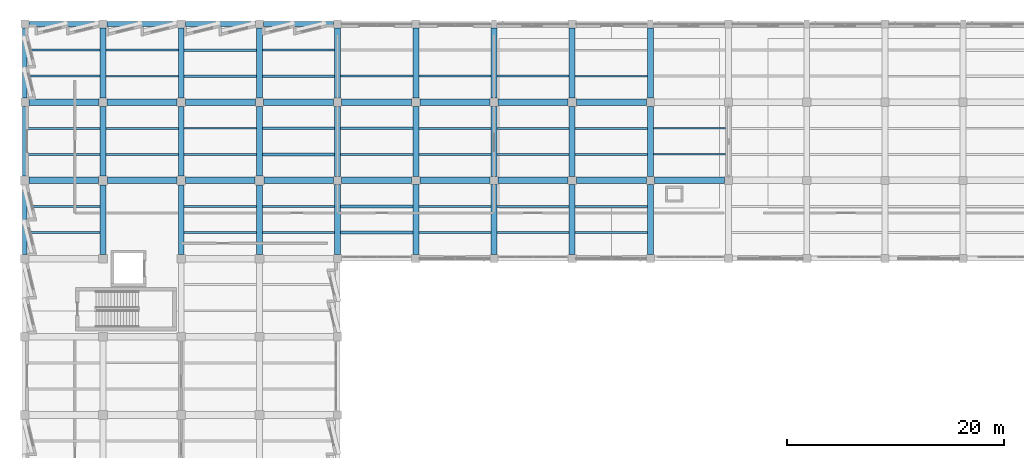
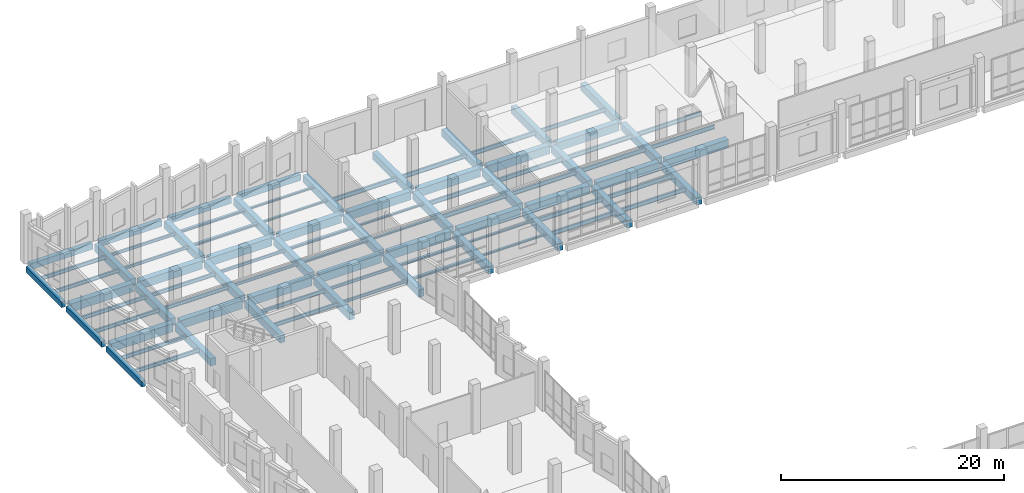
# One storey, part 53 of 137: 92 beams.
"""IFC4 building model written with IfcOpenShell, lengths in metres."""

from ifc_helpers import new_model, si_unit, direction, frame, origin, origin_2d, place, context, subcontext, project, spatial, rectangle, i_section, extrude, material, material_profile, profile_set, type_object, element, save


model = new_model("IFC4")

# Units and contexts
model_context = context("Model", 3, precision=1e-05, world=origin(), true_north=direction((0.0, 1.0)))
body_context = subcontext(model_context, "Body", "Model", "MODEL_VIEW")
ifc_project = project(units=[si_unit("LENGTHUNIT", "METRE"), si_unit("AREAUNIT", "SQUARE_METRE"), si_unit("VOLUMEUNIT", "CUBIC_METRE"), si_unit("PLANEANGLEUNIT", "RADIAN"), si_unit("MASSUNIT", "GRAM", prefix="KILO")], contexts=[model_context])

# Site, building, storey
site_placement = place(None, origin())
site = spatial("IfcSite", under=ifc_project, at=site_placement, CompositionType="ELEMENT")
building_placement = place(site_placement, origin())
building = spatial("IfcBuilding", under=site, at=building_placement, Name="Kalmorath City Hall", CompositionType="ELEMENT")
storey_placement = place(building_placement, origin())
storey = spatial("IfcBuildingStorey", under=building, at=storey_placement, Name="L00", CompositionType="ELEMENT", Elevation=0.0)

# Beams
ifc_material_1 = material(Name="Concrete C40/50", Category="concrete")
ifc_material_profile_1 = material_profile(ifc_material_1, rectangle(XDim=0.39990234375, YDim=0.60009765625, at=origin_2d()), Name="RC-BM-400X600")
ifc_profile_set_1 = profile_set([ifc_material_profile_1], Name="Concrete C40/50")
beam_type_1 = type_object("IfcBeamType", Name="Concrete edge beam 400x600", PredefinedType="SPANDREL", material=ifc_profile_set_1)
beam_1_placement = place(storey_placement, frame((0.0, 94.0, -0.60400390625), z_axis=(0.0, 1.0, 0.0), x_axis=(-1.0, 0.0, 0.0)))
element("IfcBeam", 1, at=beam_1_placement, inside=storey, type_object=beam_type_1, Name="L00 girder CB6 Y1/14-15", PredefinedType="SPANDREL", context=body_context, shape_type="SweptSolid", body=[
    extrude(rectangle(XDim=0.39990234375, YDim=0.60009765625, at=origin_2d()), origin(), (0.0, 0.0, 1.0), 6.39990234375),
])
beam_2_placement = place(storey_placement, frame((0.0, 101.199951171875, -0.60400390625), z_axis=(0.0, 1.0, 0.0), x_axis=(-1.0, 0.0, 0.0)))
element("IfcBeam", 2, at=beam_2_placement, inside=storey, type_object=beam_type_1, Name="L00 girder CB6 Y1/15-16", PredefinedType="SPANDREL", context=body_context, shape_type="SweptSolid", body=[
    extrude(rectangle(XDim=0.39990234375, YDim=0.60009765625, at=origin_2d()), origin(), (0.0, 0.0, 1.0), 6.425048828125),
])
beam_3_placement = place(storey_placement, frame((0.0, 108.375, -0.60400390625), z_axis=(0.0, 1.0, 0.0), x_axis=(-1.0, 0.0, 0.0)))
element("IfcBeam", 3, at=beam_3_placement, inside=storey, type_object=beam_type_1, Name="L00 girder CB6 Y1/16-17", PredefinedType="SPANDREL", context=body_context, shape_type="SweptSolid", body=[
    extrude(rectangle(XDim=0.39990234375, YDim=0.60009765625, at=origin_2d()), origin(), (0.0, 0.0, 1.0), 6.449951171875),
])
ifc_material_2 = material(Name="Concrete C40/50", Category="concrete")
ifc_material_profile_2 = material_profile(ifc_material_2, rectangle(XDim=0.550048828125, YDim=0.800048828125, at=origin_2d()), Name="RC-BM-550X800")
ifc_profile_set_2 = profile_set([ifc_material_profile_2], Name="Concrete C40/50")
beam_type_2 = type_object("IfcBeamType", Name="Concrete floor girder 550x800", PredefinedType="BEAM", material=ifc_profile_set_2)
beam_4_placement = place(storey_placement, frame((7.199951171875, 94.0, -0.7041015625), z_axis=(0.0, 1.0, 0.0), x_axis=(-1.0, 0.0, 0.0)))
element("IfcBeam", 4, at=beam_4_placement, inside=storey, type_object=beam_type_2, Name="L00 girder CB2 Y2/14-15", PredefinedType="BEAM", context=body_context, shape_type="SweptSolid", body=[
    extrude(rectangle(XDim=0.550048828125, YDim=0.800048828125, at=origin_2d()), origin(), (0.0, 0.0, 1.0), 6.39990234375),
])
beam_5_placement = place(storey_placement, frame((7.199951171875, 101.199951171875, -0.7041015625), z_axis=(0.0, 1.0, 0.0), x_axis=(-1.0, 0.0, 0.0)))
element("IfcBeam", 5, at=beam_5_placement, inside=storey, type_object=beam_type_2, Name="L00 girder CB2 Y2/15-16", PredefinedType="BEAM", context=body_context, shape_type="SweptSolid", body=[
    extrude(rectangle(XDim=0.550048828125, YDim=0.800048828125, at=origin_2d()), origin(), (0.0, 0.0, 1.0), 6.425048828125),
])
beam_6_placement = place(storey_placement, frame((7.199951171875, 108.375, -0.7041015625), z_axis=(0.0, 1.0, 0.0), x_axis=(-1.0, 0.0, 0.0)))
element("IfcBeam", 6, at=beam_6_placement, inside=storey, type_object=beam_type_2, Name="L00 girder CB2 Y2/16-17", PredefinedType="BEAM", context=body_context, shape_type="SweptSolid", body=[
    extrude(rectangle(XDim=0.550048828125, YDim=0.800048828125, at=origin_2d()), origin(), (0.0, 0.0, 1.0), 6.449951171875),
])
beam_7_placement = place(storey_placement, frame((14.39990234375, 94.0, -0.7041015625), z_axis=(0.0, 1.0, 0.0), x_axis=(-1.0, 0.0, 0.0)))
element("IfcBeam", 7, at=beam_7_placement, inside=storey, type_object=beam_type_2, Name="L00 girder CB2 Y3/14-15", PredefinedType="BEAM", context=body_context, shape_type="SweptSolid", body=[
    extrude(rectangle(XDim=0.550048828125, YDim=0.800048828125, at=origin_2d()), origin(), (0.0, 0.0, 1.0), 6.39990234375),
])
beam_8_placement = place(storey_placement, frame((14.39990234375, 101.199951171875, -0.7041015625), z_axis=(0.0, 1.0, 0.0), x_axis=(-1.0, 0.0, 0.0)))
element("IfcBeam", 8, at=beam_8_placement, inside=storey, type_object=beam_type_2, Name="L00 girder CB2 Y3/15-16", PredefinedType="BEAM", context=body_context, shape_type="SweptSolid", body=[
    extrude(rectangle(XDim=0.550048828125, YDim=0.800048828125, at=origin_2d()), origin(), (0.0, 0.0, 1.0), 6.425048828125),
])
beam_9_placement = place(storey_placement, frame((14.39990234375, 108.375, -0.7041015625), z_axis=(0.0, 1.0, 0.0), x_axis=(-1.0, 0.0, 0.0)))
element("IfcBeam", 9, at=beam_9_placement, inside=storey, type_object=beam_type_2, Name="L00 girder CB2 Y3/16-17", PredefinedType="BEAM", context=body_context, shape_type="SweptSolid", body=[
    extrude(rectangle(XDim=0.550048828125, YDim=0.800048828125, at=origin_2d()), origin(), (0.0, 0.0, 1.0), 6.449951171875),
])
beam_10_placement = place(storey_placement, frame((21.60009765625, 94.0, -0.7041015625), z_axis=(0.0, 1.0, 0.0), x_axis=(-1.0, 0.0, 0.0)))
element("IfcBeam", 10, at=beam_10_placement, inside=storey, type_object=beam_type_2, Name="L00 girder CB2 Y4/14-15", PredefinedType="BEAM", context=body_context, shape_type="SweptSolid", body=[
    extrude(rectangle(XDim=0.550048828125, YDim=0.800048828125, at=origin_2d()), origin(), (0.0, 0.0, 1.0), 6.39990234375),
])
beam_11_placement = place(storey_placement, frame((21.60009765625, 101.199951171875, -0.7041015625), z_axis=(0.0, 1.0, 0.0), x_axis=(-1.0, 0.0, 0.0)))
element("IfcBeam", 11, at=beam_11_placement, inside=storey, type_object=beam_type_2, Name="L00 girder CB2 Y4/15-16", PredefinedType="BEAM", context=body_context, shape_type="SweptSolid", body=[
    extrude(rectangle(XDim=0.550048828125, YDim=0.800048828125, at=origin_2d()), origin(), (0.0, 0.0, 1.0), 6.425048828125),
])
for number, where, z_axis, x_axis, name in (
    (12, (21.60009765625, 108.375, -0.7041015625), (0.0, 1.0, 0.0), (-1.0, 0.0, 0.0), "L00 girder CB2 Y4/16-17"),
    (13, (28.800048828125, 93.97509765625, -0.7041015625), (0.0, 1.0, 0.0), (-1.0, 0.0, 0.0), "L00 girder CB2 Y5/14-15"),
    (14, (28.800048828125, 101.175048828125, -0.7041015625), (0.0, 1.0, 0.0), (-1.0, 0.0, 0.0), "L00 girder CB2 Y5/15-16"),
    (15, (28.800048828125, 108.375, -0.7041015625), (0.0, 1.0, 0.0), (-1.0, 0.0, 0.0), "L00 girder CB2 Y5/16-17"),
    (16, (36.0, 93.97509765625, -0.7041015625), (0.0, 1.0, 0.0), (-1.0, 0.0, 0.0), "L00 girder CB2 Y6/14-15"),
    (17, (36.0, 101.175048828125, -0.7041015625), (0.0, 1.0, 0.0), (-1.0, 0.0, 0.0), "L00 girder CB2 Y6/15-16"),
    (18, (36.0, 108.375, -0.7041015625), (0.0, 1.0, 0.0), (-1.0, 0.0, 0.0), "L00 girder CB2 Y6/16-17"),
    (19, (43.199951171875, 93.97509765625, -0.7041015625), (0.0, 1.0, 0.0), (-1.0, 0.0, 0.0), "L00 girder CB2 Y7/14-15"),
    (20, (43.199951171875, 101.175048828125, -0.7041015625), (0.0, 1.0, 0.0), (-1.0, 0.0, 0.0), "L00 girder CB2 Y7/15-16"),
    (21, (43.199951171875, 108.375, -0.7041015625), (0.0, 1.0, 0.0), (-1.0, 0.0, 0.0), "L00 girder CB2 Y7/16-17"),
    (22, (50.39990234375, 93.97509765625, -0.7041015625), (0.0, 1.0, 0.0), (-1.0, 0.0, 0.0), "L00 girder CB2 Y8/14-15"),
    (23, (50.39990234375, 101.175048828125, -0.7041015625), (0.0, 1.0, 0.0), (-1.0, 0.0, 0.0), "L00 girder CB2 Y8/15-16"),
    (24, (50.39990234375, 108.375, -0.7041015625), (0.0, 1.0, 0.0), (-1.0, 0.0, 0.0), "L00 girder CB2 Y8/16-17"),
    (25, (57.60009765625, 93.97509765625, -0.7041015625), (0.0, 1.0, 0.0), (-1.0, 0.0, 0.0), "L00 girder CB2 Y9/14-15"),
    (26, (57.60009765625, 101.175048828125, -0.7041015625), (0.0, 1.0, 0.0), (-1.0, 0.0, 0.0), "L00 girder CB2 Y9/15-16"),
    (27, (57.60009765625, 108.375, -0.7041015625), (0.0, 1.0, 0.0), (-1.0, 0.0, 0.0), "L00 girder CB2 Y9/16-17"),
):
    element("IfcBeam", number, at=place(storey_placement, frame(where, z_axis=z_axis, x_axis=x_axis)), inside=storey, type_object=beam_type_2, Name=name, PredefinedType="BEAM", context=body_context, shape_type="SweptSolid", body=[
        extrude(rectangle(XDim=0.550048828125, YDim=0.800048828125, at=origin_2d()), origin(), (0.0, 0.0, 1.0), 6.449951171875),
    ])
ifc_material_3 = material(Name="Concrete C40/50", Category="concrete")
ifc_material_profile_3 = material_profile(ifc_material_3, rectangle(XDim=0.60009765625, YDim=0.89990234375, at=origin_2d()), Name="RC-BM-600X900")
ifc_profile_set_3 = profile_set([ifc_material_profile_3], Name="Concrete C40/50")
beam_type_3 = type_object("IfcBeamType", Name="Concrete floor girder 600x900", PredefinedType="BEAM", material=ifc_profile_set_3)
beam_12_placement = place(storey_placement, frame((0.39990234375, 100.800048828125, -0.75390625), z_axis=(1.0, 0.0, 0.0), x_axis=(0.0, 1.0, 0.0)))
element("IfcBeam", 28, at=beam_12_placement, inside=storey, type_object=beam_type_3, Name="L00 girder CB1 X1-2/15", PredefinedType="BEAM", context=body_context, shape_type="SweptSolid", body=[
    extrude(rectangle(XDim=0.60009765625, YDim=0.89990234375, at=origin_2d()), origin(), (0.0, 0.0, 1.0), 6.400146484375),
])
for number, where, z_axis, x_axis, name in (
    (29, (7.60009765625, 100.800048828125, -0.75390625), (1.0, 0.0, 0.0), (0.0, 1.0, 0.0), "L00 girder CB1 X2-3/15"),
    (30, (14.800048828125, 100.800048828125, -0.75390625), (1.0, 0.0, 0.0), (0.0, 1.0, 0.0), "L00 girder CB1 X3-4/15"),
):
    element("IfcBeam", number, at=place(storey_placement, frame(where, z_axis=z_axis, x_axis=x_axis)), inside=storey, type_object=beam_type_3, Name=name, PredefinedType="BEAM", context=body_context, shape_type="SweptSolid", body=[
        extrude(rectangle(XDim=0.60009765625, YDim=0.89990234375, at=origin_2d()), origin(), (0.0, 0.0, 1.0), 6.39990234375),
    ])
beam_13_placement = place(storey_placement, frame((22.0, 100.800048828125, -0.75390625), z_axis=(1.0, 0.0, 0.0), x_axis=(0.0, 1.0, 0.0)))
element("IfcBeam", 31, at=beam_13_placement, inside=storey, type_object=beam_type_3, Name="L00 girder CB1 X4-5/15", PredefinedType="BEAM", context=body_context, shape_type="SweptSolid", body=[
    extrude(rectangle(XDim=0.60009765625, YDim=0.89990234375, at=origin_2d()), origin(), (0.0, 0.0, 1.0), 6.425048828125),
])
for number, where, z_axis, x_axis, name in (
    (32, (29.175048828125, 100.800048828125, -0.75390625), (1.0, 0.0, 0.0), (0.0, 1.0, 0.0), "L00 girder CB1 X5-6/15"),
    (33, (36.375, 100.800048828125, -0.75390625), (1.0, 0.0, 0.0), (0.0, 1.0, 0.0), "L00 girder CB1 X6-7/15"),
    (34, (43.574951171875, 100.800048828125, -0.75390625), (1.0, 0.0, 0.0), (0.0, 1.0, 0.0), "L00 girder CB1 X7-8/15"),
):
    element("IfcBeam", number, at=place(storey_placement, frame(where, z_axis=z_axis, x_axis=x_axis)), inside=storey, type_object=beam_type_3, Name=name, PredefinedType="BEAM", context=body_context, shape_type="SweptSolid", body=[
        extrude(rectangle(XDim=0.60009765625, YDim=0.89990234375, at=origin_2d()), origin(), (0.0, 0.0, 1.0), 6.449951171875),
    ])
beam_14_placement = place(storey_placement, frame((50.77490234375, 100.800048828125, -0.75390625), z_axis=(1.0, 0.0, 0.0), x_axis=(0.0, 1.0, 0.0)))
element("IfcBeam", 35, at=beam_14_placement, inside=storey, type_object=beam_type_3, Name="L00 girder CB1 X8-9/15", PredefinedType="BEAM", context=body_context, shape_type="SweptSolid", body=[
    extrude(rectangle(XDim=0.60009765625, YDim=0.89990234375, at=origin_2d()), origin(), (0.0, 0.0, 1.0), 6.4501953125),
])
for number, where, z_axis, x_axis, name in (
    (36, (57.97509765625, 100.800048828125, -0.75390625), (1.0, 0.0, 0.0), (0.0, 1.0, 0.0), "L00 girder CB1 X9-10/15"),
    (37, (0.375, 108.0, -0.75390625), (1.0, 0.0, 0.0), (0.0, 1.0, 0.0), "L00 girder CB1 X1-2/16"),
    (38, (7.574951171875, 108.0, -0.75390625), (1.0, 0.0, 0.0), (0.0, 1.0, 0.0), "L00 girder CB1 X2-3/16"),
):
    element("IfcBeam", number, at=place(storey_placement, frame(where, z_axis=z_axis, x_axis=x_axis)), inside=storey, type_object=beam_type_3, Name=name, PredefinedType="BEAM", context=body_context, shape_type="SweptSolid", body=[
        extrude(rectangle(XDim=0.60009765625, YDim=0.89990234375, at=origin_2d()), origin(), (0.0, 0.0, 1.0), 6.449951171875),
    ])
beam_15_placement = place(storey_placement, frame((14.77490234375, 108.0, -0.75390625), z_axis=(1.0, 0.0, 0.0), x_axis=(0.0, 1.0, 0.0)))
element("IfcBeam", 39, at=beam_15_placement, inside=storey, type_object=beam_type_3, Name="L00 girder CB1 X3-4/16", PredefinedType="BEAM", context=body_context, shape_type="SweptSolid", body=[
    extrude(rectangle(XDim=0.60009765625, YDim=0.89990234375, at=origin_2d()), origin(), (0.0, 0.0, 1.0), 6.4501953125),
])
for number, where, z_axis, x_axis, name in (
    (40, (21.97509765625, 108.0, -0.75390625), (1.0, 0.0, 0.0), (0.0, 1.0, 0.0), "L00 girder CB1 X4-5/16"),
    (41, (29.175048828125, 108.0, -0.75390625), (1.0, 0.0, 0.0), (0.0, 1.0, 0.0), "L00 girder CB1 X5-6/16"),
    (42, (36.375, 108.0, -0.75390625), (1.0, 0.0, 0.0), (0.0, 1.0, 0.0), "L00 girder CB1 X6-7/16"),
    (43, (43.574951171875, 108.0, -0.75390625), (1.0, 0.0, 0.0), (0.0, 1.0, 0.0), "L00 girder CB1 X7-8/16"),
):
    element("IfcBeam", number, at=place(storey_placement, frame(where, z_axis=z_axis, x_axis=x_axis)), inside=storey, type_object=beam_type_3, Name=name, PredefinedType="BEAM", context=body_context, shape_type="SweptSolid", body=[
        extrude(rectangle(XDim=0.60009765625, YDim=0.89990234375, at=origin_2d()), origin(), (0.0, 0.0, 1.0), 6.449951171875),
    ])
beam_16_placement = place(storey_placement, frame((50.77490234375, 108.0, -0.75390625), z_axis=(1.0, 0.0, 0.0), x_axis=(0.0, 1.0, 0.0)))
element("IfcBeam", 44, at=beam_16_placement, inside=storey, type_object=beam_type_3, Name="L00 girder CB1 X8-9/16", PredefinedType="BEAM", context=body_context, shape_type="SweptSolid", body=[
    extrude(rectangle(XDim=0.60009765625, YDim=0.89990234375, at=origin_2d()), origin(), (0.0, 0.0, 1.0), 6.4501953125),
])
ifc_material_4 = material(Name="Concrete C40/50", Category="concrete")
ifc_material_profile_4 = material_profile(ifc_material_4, rectangle(XDim=0.449951171875, YDim=0.64990234375, at=origin_2d()), Name="RC-BM-450X650")
ifc_profile_set_4 = profile_set([ifc_material_profile_4], Name="Concrete C40/50")
beam_type_4 = type_object("IfcBeamType", Name="Concrete spandrel beam 450x650", PredefinedType="SPANDREL", material=ifc_profile_set_4)
for number, where, z_axis, x_axis, name in (
    (45, (0.375, 115.199951171875, -0.62890625), (1.0, 0.0, 0.0), (0.0, 1.0, 0.0), "L00 girder CB5 X1-2/17"),
    (46, (7.574951171875, 115.199951171875, -0.62890625), (1.0, 0.0, 0.0), (0.0, 1.0, 0.0), "L00 girder CB5 X2-3/17"),
):
    element("IfcBeam", number, at=place(storey_placement, frame(where, z_axis=z_axis, x_axis=x_axis)), inside=storey, type_object=beam_type_4, Name=name, PredefinedType="SPANDREL", context=body_context, shape_type="SweptSolid", body=[
        extrude(rectangle(XDim=0.449951171875, YDim=0.64990234375, at=origin_2d()), origin(), (0.0, 0.0, 1.0), 6.449951171875),
    ])
beam_17_placement = place(storey_placement, frame((14.77490234375, 115.199951171875, -0.62890625), z_axis=(1.0, 0.0, 0.0), x_axis=(0.0, 1.0, 0.0)))
element("IfcBeam", 47, at=beam_17_placement, inside=storey, type_object=beam_type_4, Name="L00 girder CB5 X3-4/17", PredefinedType="SPANDREL", context=body_context, shape_type="SweptSolid", body=[
    extrude(rectangle(XDim=0.449951171875, YDim=0.64990234375, at=origin_2d()), origin(), (0.0, 0.0, 1.0), 6.4501953125),
])
beam_18_placement = place(storey_placement, frame((21.97509765625, 115.199951171875, -0.62890625), z_axis=(1.0, 0.0, 0.0), x_axis=(0.0, 1.0, 0.0)))
element("IfcBeam", 48, at=beam_18_placement, inside=storey, type_object=beam_type_4, Name="L00 girder CB5 X4-5/17", PredefinedType="SPANDREL", context=body_context, shape_type="SweptSolid", body=[
    extrude(rectangle(XDim=0.449951171875, YDim=0.64990234375, at=origin_2d()), origin(), (0.0, 0.0, 1.0), 6.449951171875),
])
ifc_material_5 = material(Name="Steel ASTM A992 Grade 50", Category="steel")
ifc_material_profile_5 = material_profile(ifc_material_5, i_section(OverallWidth=0.177001953125, OverallDepth=0.403076171875, WebThickness=0.007568359375, FlangeThickness=0.010986328125, FilletRadius=0.012939453125, at=origin_2d()), Name="W16X36")
ifc_profile_set_5 = profile_set([ifc_material_profile_5], Name="Steel ASTM A992 Grade 50")
beam_type_5 = type_object("IfcBeamType", Name="Steel composite joist W16X36", PredefinedType="JOIST", material=ifc_profile_set_5)
for number, where, z_axis, x_axis, name in (
    (49, (0.199951171875, 110.39990234375, -0.505615234375), (1.0, 0.0, 0.0), (0.0, 1.0, 0.0), "L00 joist SJ7 1.16.1"),
    (50, (0.199951171875, 112.800048828125, -0.505615234375), (1.0, 0.0, 0.0), (0.0, 1.0, 0.0), "L00 joist SJ7 1.16.2"),
):
    element("IfcBeam", number, at=place(storey_placement, frame(where, z_axis=z_axis, x_axis=x_axis)), inside=storey, type_object=beam_type_5, Name=name, PredefinedType="JOIST", context=body_context, shape_type="SweptSolid", body=[
        extrude(i_section(OverallWidth=0.177001953125, OverallDepth=0.403076171875, WebThickness=0.007568359375, FlangeThickness=0.010986328125, FilletRadius=0.012939453125, at=origin_2d()), origin(), (0.0, 0.0, 1.0), 6.72509765625),
    ])
for number, where, z_axis, x_axis, name in (
    (51, (7.47509765625, 103.199951171875, -0.505615234375), (1.0, 0.0, 0.0), (0.0, 1.0, 0.0), "L00 joist SJ7 2.15.1"),
    (52, (7.47509765625, 105.60009765625, -0.505615234375), (1.0, 0.0, 0.0), (0.0, 1.0, 0.0), "L00 joist SJ7 2.15.2"),
    (53, (14.675048828125, 96.0, -0.505615234375), (1.0, 0.0, 0.0), (0.0, 1.0, 0.0), "L00 joist SJ7 3.14.1"),
    (54, (14.675048828125, 98.39990234375, -0.505615234375), (1.0, 0.0, 0.0), (0.0, 1.0, 0.0), "L00 joist SJ7 3.14.2"),
):
    element("IfcBeam", number, at=place(storey_placement, frame(where, z_axis=z_axis, x_axis=x_axis)), inside=storey, type_object=beam_type_5, Name=name, PredefinedType="JOIST", context=body_context, shape_type="SweptSolid", body=[
        extrude(i_section(OverallWidth=0.177001953125, OverallDepth=0.403076171875, WebThickness=0.007568359375, FlangeThickness=0.010986328125, FilletRadius=0.012939453125, at=origin_2d()), origin(), (0.0, 0.0, 1.0), 6.64990234375),
    ])
ifc_material_6 = material(Name="Steel ASTM A992 Grade 50", Category="steel")
ifc_material_profile_6 = material_profile(ifc_material_6, i_section(OverallWidth=0.178955078125, OverallDepth=0.409912109375, WebThickness=0.0087890625, FlangeThickness=0.014404296875, FilletRadius=0.012939453125, at=origin_2d()), Name="W16X45")
ifc_profile_set_6 = profile_set([ifc_material_profile_6], Name="Steel ASTM A992 Grade 50")
beam_type_6 = type_object("IfcBeamType", Name="Steel composite joist W16X45", PredefinedType="JOIST", material=ifc_profile_set_6)
for number, where, z_axis, x_axis, name in (
    (55, (0.199951171875, 103.199951171875, -0.509033203125), (1.0, 0.0, 0.0), (0.0, 1.0, 0.0), "L00 joist SJ6 1.15.1"),
    (56, (0.199951171875, 105.60009765625, -0.509033203125), (1.0, 0.0, 0.0), (0.0, 1.0, 0.0), "L00 joist SJ6 1.15.2"),
):
    element("IfcBeam", number, at=place(storey_placement, frame(where, z_axis=z_axis, x_axis=x_axis)), inside=storey, type_object=beam_type_6, Name=name, PredefinedType="JOIST", context=body_context, shape_type="SweptSolid", body=[
        extrude(i_section(OverallWidth=0.178955078125, OverallDepth=0.409912109375, WebThickness=0.0087890625, FlangeThickness=0.014404296875, FilletRadius=0.012939453125, at=origin_2d()), origin(), (0.0, 0.0, 1.0), 6.72509765625),
    ])
ifc_material_7 = material(Name="Steel ASTM A992 Grade 50", Category="steel")
ifc_material_profile_7 = material_profile(ifc_material_7, i_section(OverallWidth=0.180908203125, OverallDepth=0.4169921875, WebThickness=0.010986328125, FlangeThickness=0.018310546875, FilletRadius=0.012939453125, at=origin_2d()), Name="W16X57")
ifc_profile_set_7 = profile_set([ifc_material_profile_7], Name="Steel ASTM A992 Grade 50")
beam_type_7 = type_object("IfcBeamType", Name="Steel composite joist W16X57", PredefinedType="JOIST", material=ifc_profile_set_7)
for number, where, z_axis, x_axis, name in (
    (57, (0.199951171875, 96.0, -0.512451171875), (1.0, 0.0, 0.0), (0.0, 1.0, 0.0), "L00 joist SJ5 1.14.1"),
    (58, (0.199951171875, 98.39990234375, -0.512451171875), (1.0, 0.0, 0.0), (0.0, 1.0, 0.0), "L00 joist SJ5 1.14.2"),
):
    element("IfcBeam", number, at=place(storey_placement, frame(where, z_axis=z_axis, x_axis=x_axis)), inside=storey, type_object=beam_type_7, Name=name, PredefinedType="JOIST", context=body_context, shape_type="SweptSolid", body=[
        extrude(i_section(OverallWidth=0.180908203125, OverallDepth=0.4169921875, WebThickness=0.010986328125, FlangeThickness=0.018310546875, FilletRadius=0.012939453125, at=origin_2d()), origin(), (0.0, 0.0, 1.0), 6.72509765625),
    ])
ifc_material_8 = material(Name="Steel ASTM A992 Grade 50", Category="steel")
ifc_material_profile_8 = material_profile(ifc_material_8, i_section(OverallWidth=0.153076171875, OverallDepth=0.455078125, WebThickness=0.008056640625, FlangeThickness=0.01318359375, FilletRadius=0.013916015625, at=origin_2d()), Name="W18X40")
ifc_profile_set_8 = profile_set([ifc_material_profile_8], Name="Steel ASTM A992 Grade 50")
beam_type_8 = type_object("IfcBeamType", Name="Steel composite joist W18X40", PredefinedType="JOIST", material=ifc_profile_set_8)
for number, where, z_axis, x_axis, name in (
    (59, (50.675048828125, 110.39990234375, -0.531494140625), (1.0, 0.0, 0.0), (0.0, 1.0, 0.0), "L00 joist SJ4 8.16.1"),
    (60, (57.875, 103.199951171875, -0.531494140625), (1.0, 0.0, 0.0), (0.0, 1.0, 0.0), "L00 joist SJ4 9.15.1"),
    (61, (57.875, 105.60009765625, -0.531494140625), (1.0, 0.0, 0.0), (0.0, 1.0, 0.0), "L00 joist SJ4 9.15.2"),
):
    element("IfcBeam", number, at=place(storey_placement, frame(where, z_axis=z_axis, x_axis=x_axis)), inside=storey, type_object=beam_type_8, Name=name, PredefinedType="JOIST", context=body_context, shape_type="SweptSolid", body=[
        extrude(i_section(OverallWidth=0.153076171875, OverallDepth=0.455078125, WebThickness=0.008056640625, FlangeThickness=0.01318359375, FilletRadius=0.013916015625, at=origin_2d()), origin(), (0.0, 0.0, 1.0), 6.64990234375),
    ])
ifc_material_9 = material(Name="Steel ASTM A992 Grade 50", Category="steel")
ifc_material_profile_9 = material_profile(ifc_material_9, i_section(OverallWidth=0.19091796875, OverallDepth=0.45703125, WebThickness=0.009033203125, FlangeThickness=0.014404296875, FilletRadius=0.013916015625, at=origin_2d()), Name="W18X50")
ifc_profile_set_9 = profile_set([ifc_material_profile_9], Name="Steel ASTM A992 Grade 50")
beam_type_9 = type_object("IfcBeamType", Name="Steel composite joist W18X50", PredefinedType="JOIST", material=ifc_profile_set_9)
for number, where, z_axis, x_axis, name in (
    (62, (43.47509765625, 110.39990234375, -0.532470703125), (1.0, 0.0, 0.0), (0.0, 1.0, 0.0), "L00 joist SJ3 7.16.1"),
    (63, (50.675048828125, 103.199951171875, -0.532470703125), (1.0, 0.0, 0.0), (0.0, 1.0, 0.0), "L00 joist SJ3 8.15.1"),
    (64, (50.675048828125, 105.60009765625, -0.532470703125), (1.0, 0.0, 0.0), (0.0, 1.0, 0.0), "L00 joist SJ3 8.15.2"),
):
    element("IfcBeam", number, at=place(storey_placement, frame(where, z_axis=z_axis, x_axis=x_axis)), inside=storey, type_object=beam_type_9, Name=name, PredefinedType="JOIST", context=body_context, shape_type="SweptSolid", body=[
        extrude(i_section(OverallWidth=0.19091796875, OverallDepth=0.45703125, WebThickness=0.009033203125, FlangeThickness=0.014404296875, FilletRadius=0.013916015625, at=origin_2d()), origin(), (0.0, 0.0, 1.0), 6.64990234375),
    ])
ifc_material_10 = material(Name="Steel ASTM A992 Grade 50", Category="steel")
ifc_material_profile_10 = material_profile(ifc_material_10, i_section(OverallWidth=0.19091796875, OverallDepth=0.4599609375, WebThickness=0.010009765625, FlangeThickness=0.01611328125, FilletRadius=0.013916015625, at=origin_2d()), Name="W18X55")
ifc_profile_set_10 = profile_set([ifc_material_profile_10], Name="Steel ASTM A992 Grade 50")
beam_type_10 = type_object("IfcBeamType", Name="Steel composite joist W18X55", PredefinedType="JOIST", material=ifc_profile_set_10)
beam_19_placement = place(storey_placement, frame((36.27490234375, 110.39990234375, -0.533935546875), z_axis=(1.0, 0.0, 0.0), x_axis=(0.0, 1.0, 0.0)))
element("IfcBeam", 65, at=beam_19_placement, inside=storey, type_object=beam_type_10, Name="L00 joist SJ2 6.16.1", PredefinedType="JOIST", context=body_context, shape_type="SweptSolid", body=[
    extrude(i_section(OverallWidth=0.19091796875, OverallDepth=0.4599609375, WebThickness=0.010009765625, FlangeThickness=0.01611328125, FilletRadius=0.013916015625, at=origin_2d()), origin(), (0.0, 0.0, 1.0), 6.650146484375),
])
for number, where, z_axis, x_axis, name in (
    (66, (43.47509765625, 103.199951171875, -0.533935546875), (1.0, 0.0, 0.0), (0.0, 1.0, 0.0), "L00 joist SJ2 7.15.1"),
    (67, (43.47509765625, 105.60009765625, -0.533935546875), (1.0, 0.0, 0.0), (0.0, 1.0, 0.0), "L00 joist SJ2 7.15.2"),
    (68, (50.675048828125, 96.0, -0.533935546875), (1.0, 0.0, 0.0), (0.0, 1.0, 0.0), "L00 joist SJ2 8.14.1"),
    (69, (50.675048828125, 98.39990234375, -0.533935546875), (1.0, 0.0, 0.0), (0.0, 1.0, 0.0), "L00 joist SJ2 8.14.2"),
):
    element("IfcBeam", number, at=place(storey_placement, frame(where, z_axis=z_axis, x_axis=x_axis)), inside=storey, type_object=beam_type_10, Name=name, PredefinedType="JOIST", context=body_context, shape_type="SweptSolid", body=[
        extrude(i_section(OverallWidth=0.19091796875, OverallDepth=0.4599609375, WebThickness=0.010009765625, FlangeThickness=0.01611328125, FilletRadius=0.013916015625, at=origin_2d()), origin(), (0.0, 0.0, 1.0), 6.64990234375),
    ])
ifc_material_11 = material(Name="Steel ASTM A992 Grade 50", Category="steel")
ifc_material_profile_11 = material_profile(ifc_material_11, i_section(OverallWidth=0.193115234375, OverallDepth=0.466064453125, WebThickness=0.011474609375, FlangeThickness=0.01904296875, FilletRadius=0.013916015625, at=origin_2d()), Name="W18X65")
ifc_profile_set_11 = profile_set([ifc_material_profile_11], Name="Steel ASTM A992 Grade 50")
beam_type_11 = type_object("IfcBeamType", Name="Steel composite joist W18X65", PredefinedType="JOIST", material=ifc_profile_set_11)
for number, where, z_axis, x_axis, name in (
    (70, (29.074951171875, 110.39990234375, -0.537109375), (1.0, 0.0, 0.0), (0.0, 1.0, 0.0), "L00 joist SJ1 5.16.1"),
    (71, (36.27490234375, 103.199951171875, -0.537109375), (1.0, 0.0, 0.0), (0.0, 1.0, 0.0), "L00 joist SJ1 6.15.1"),
    (72, (36.27490234375, 105.60009765625, -0.537109375), (1.0, 0.0, 0.0), (0.0, 1.0, 0.0), "L00 joist SJ1 6.15.2"),
):
    element("IfcBeam", number, at=place(storey_placement, frame(where, z_axis=z_axis, x_axis=x_axis)), inside=storey, type_object=beam_type_11, Name=name, PredefinedType="JOIST", context=body_context, shape_type="SweptSolid", body=[
        extrude(i_section(OverallWidth=0.193115234375, OverallDepth=0.466064453125, WebThickness=0.011474609375, FlangeThickness=0.01904296875, FilletRadius=0.013916015625, at=origin_2d()), origin(), (0.0, 0.0, 1.0), 6.650146484375),
    ])
for number, where, z_axis, x_axis, name in (
    (73, (43.47509765625, 96.0, -0.537109375), (1.0, 0.0, 0.0), (0.0, 1.0, 0.0), "L00 joist SJ1 7.14.1"),
    (74, (43.47509765625, 98.39990234375, -0.537109375), (1.0, 0.0, 0.0), (0.0, 1.0, 0.0), "L00 joist SJ1 7.14.2"),
):
    element("IfcBeam", number, at=place(storey_placement, frame(where, z_axis=z_axis, x_axis=x_axis)), inside=storey, type_object=beam_type_11, Name=name, PredefinedType="JOIST", context=body_context, shape_type="SweptSolid", body=[
        extrude(i_section(OverallWidth=0.193115234375, OverallDepth=0.466064453125, WebThickness=0.011474609375, FlangeThickness=0.01904296875, FilletRadius=0.013916015625, at=origin_2d()), origin(), (0.0, 0.0, 1.0), 6.64990234375),
    ])
ifc_material_12 = material(Name="Steel ASTM A992 Grade 50", Category="steel")
ifc_material_profile_12 = material_profile(ifc_material_12, i_section(OverallWidth=0.202880859375, OverallDepth=0.202880859375, WebThickness=0.007080078125, FlangeThickness=0.010986328125, FilletRadius=0.010986328125, at=origin_2d()), Name="W8X31")
ifc_profile_set_12 = profile_set([ifc_material_profile_12], Name="Steel ASTM A992 Grade 50")
beam_type_12 = type_object("IfcBeamType", Name="Steel edge trimmer W8X31", PredefinedType="LINTEL", material=ifc_profile_set_12)
for number, where, z_axis, x_axis, name in (
    (75, (21.875, 110.39990234375, -0.405517578125), (1.0, 0.0, 0.0), (0.0, 1.0, 0.0), "L00 joist SJ16 4.16.1"),
    (76, (21.875, 112.800048828125, -0.405517578125), (1.0, 0.0, 0.0), (0.0, 1.0, 0.0), "L00 joist SJ16 4.16.2"),
):
    element("IfcBeam", number, at=place(storey_placement, frame(where, z_axis=z_axis, x_axis=x_axis)), inside=storey, type_object=beam_type_12, Name=name, PredefinedType="LINTEL", context=body_context, shape_type="SweptSolid", body=[
        extrude(i_section(OverallWidth=0.202880859375, OverallDepth=0.202880859375, WebThickness=0.007080078125, FlangeThickness=0.010986328125, FilletRadius=0.010986328125, at=origin_2d()), origin(), (0.0, 0.0, 1.0), 6.64990234375),
    ])
for number, where, z_axis, x_axis, name in (
    (77, (29.074951171875, 103.199951171875, -0.405517578125), (1.0, 0.0, 0.0), (0.0, 1.0, 0.0), "L00 joist SJ16 5.15.1"),
    (78, (29.074951171875, 105.60009765625, -0.405517578125), (1.0, 0.0, 0.0), (0.0, 1.0, 0.0), "L00 joist SJ16 5.15.2"),
    (79, (36.27490234375, 96.0, -0.405517578125), (1.0, 0.0, 0.0), (0.0, 1.0, 0.0), "L00 joist SJ16 6.14.1"),
    (80, (36.27490234375, 98.39990234375, -0.405517578125), (1.0, 0.0, 0.0), (0.0, 1.0, 0.0), "L00 joist SJ16 6.14.2"),
):
    element("IfcBeam", number, at=place(storey_placement, frame(where, z_axis=z_axis, x_axis=x_axis)), inside=storey, type_object=beam_type_12, Name=name, PredefinedType="LINTEL", context=body_context, shape_type="SweptSolid", body=[
        extrude(i_section(OverallWidth=0.202880859375, OverallDepth=0.202880859375, WebThickness=0.007080078125, FlangeThickness=0.010986328125, FilletRadius=0.010986328125, at=origin_2d()), origin(), (0.0, 0.0, 1.0), 6.650146484375),
    ])
ifc_material_13 = material(Name="Steel ASTM A992 Grade 50", Category="steel")
ifc_material_profile_13 = material_profile(ifc_material_13, i_section(OverallWidth=0.1669921875, OverallDepth=0.318115234375, WebThickness=0.007568359375, FlangeThickness=0.01318359375, FilletRadius=0.012939453125, at=origin_2d()), Name="W12X35")
ifc_profile_set_13 = profile_set([ifc_material_profile_13], Name="Steel ASTM A992 Grade 50")
beam_type_13 = type_object("IfcBeamType", Name="Steel header lintel W12X35", PredefinedType="LINTEL", material=ifc_profile_set_13)
for number, where, z_axis, x_axis, name in (
    (81, (7.47509765625, 110.39990234375, -0.462890625), (1.0, 0.0, 0.0), (0.0, 1.0, 0.0), "L00 joist SJ13 2.16.1"),
    (82, (7.47509765625, 112.800048828125, -0.462890625), (1.0, 0.0, 0.0), (0.0, 1.0, 0.0), "L00 joist SJ13 2.16.2"),
    (83, (14.675048828125, 103.199951171875, -0.462890625), (1.0, 0.0, 0.0), (0.0, 1.0, 0.0), "L00 joist SJ13 3.15.1"),
    (84, (14.675048828125, 105.60009765625, -0.462890625), (1.0, 0.0, 0.0), (0.0, 1.0, 0.0), "L00 joist SJ13 3.15.2"),
    (85, (21.875, 96.0, -0.462890625), (1.0, 0.0, 0.0), (0.0, 1.0, 0.0), "L00 joist SJ13 4.14.1"),
    (86, (21.875, 98.39990234375, -0.462890625), (1.0, 0.0, 0.0), (0.0, 1.0, 0.0), "L00 joist SJ13 4.14.2"),
):
    element("IfcBeam", number, at=place(storey_placement, frame(where, z_axis=z_axis, x_axis=x_axis)), inside=storey, type_object=beam_type_13, Name=name, PredefinedType="LINTEL", context=body_context, shape_type="SweptSolid", body=[
        extrude(i_section(OverallWidth=0.1669921875, OverallDepth=0.318115234375, WebThickness=0.007568359375, FlangeThickness=0.01318359375, FilletRadius=0.012939453125, at=origin_2d()), origin(), (0.0, 0.0, 1.0), 6.64990234375),
    ])
ifc_material_14 = material(Name="Steel ASTM A992 Grade 50", Category="steel")
ifc_material_profile_14 = material_profile(ifc_material_14, i_section(OverallWidth=0.25390625, OverallDepth=0.2529296875, WebThickness=0.008544921875, FlangeThickness=0.01416015625, FilletRadius=0.011962890625, at=origin_2d()), Name="W10X49")
ifc_profile_set_14 = profile_set([ifc_material_profile_14], Name="Steel ASTM A992 Grade 50")
beam_type_14 = type_object("IfcBeamType", Name="Steel trimmer beam W10X49", PredefinedType="BEAM", material=ifc_profile_set_14)
for number, where, z_axis, x_axis, name in (
    (87, (14.675048828125, 110.39990234375, -0.430419921875), (1.0, 0.0, 0.0), (0.0, 1.0, 0.0), "L00 joist SJ14 3.16.1"),
    (88, (14.675048828125, 112.800048828125, -0.430419921875), (1.0, 0.0, 0.0), (0.0, 1.0, 0.0), "L00 joist SJ14 3.16.2"),
    (89, (21.875, 103.199951171875, -0.430419921875), (1.0, 0.0, 0.0), (0.0, 1.0, 0.0), "L00 joist SJ14 4.15.1"),
    (90, (21.875, 105.60009765625, -0.430419921875), (1.0, 0.0, 0.0), (0.0, 1.0, 0.0), "L00 joist SJ14 4.15.2"),
):
    element("IfcBeam", number, at=place(storey_placement, frame(where, z_axis=z_axis, x_axis=x_axis)), inside=storey, type_object=beam_type_14, Name=name, PredefinedType="BEAM", context=body_context, shape_type="SweptSolid", body=[
        extrude(i_section(OverallWidth=0.25390625, OverallDepth=0.2529296875, WebThickness=0.008544921875, FlangeThickness=0.01416015625, FilletRadius=0.011962890625, at=origin_2d()), origin(), (0.0, 0.0, 1.0), 6.64990234375),
    ])
for number, where, z_axis, x_axis, name in (
    (91, (29.074951171875, 96.0, -0.430419921875), (1.0, 0.0, 0.0), (0.0, 1.0, 0.0), "L00 joist SJ14 5.14.1"),
    (92, (29.074951171875, 98.39990234375, -0.430419921875), (1.0, 0.0, 0.0), (0.0, 1.0, 0.0), "L00 joist SJ14 5.14.2"),
):
    element("IfcBeam", number, at=place(storey_placement, frame(where, z_axis=z_axis, x_axis=x_axis)), inside=storey, type_object=beam_type_14, Name=name, PredefinedType="BEAM", context=body_context, shape_type="SweptSolid", body=[
        extrude(i_section(OverallWidth=0.25390625, OverallDepth=0.2529296875, WebThickness=0.008544921875, FlangeThickness=0.01416015625, FilletRadius=0.011962890625, at=origin_2d()), origin(), (0.0, 0.0, 1.0), 6.650146484375),
    ])

save(model, "model.ifc")
